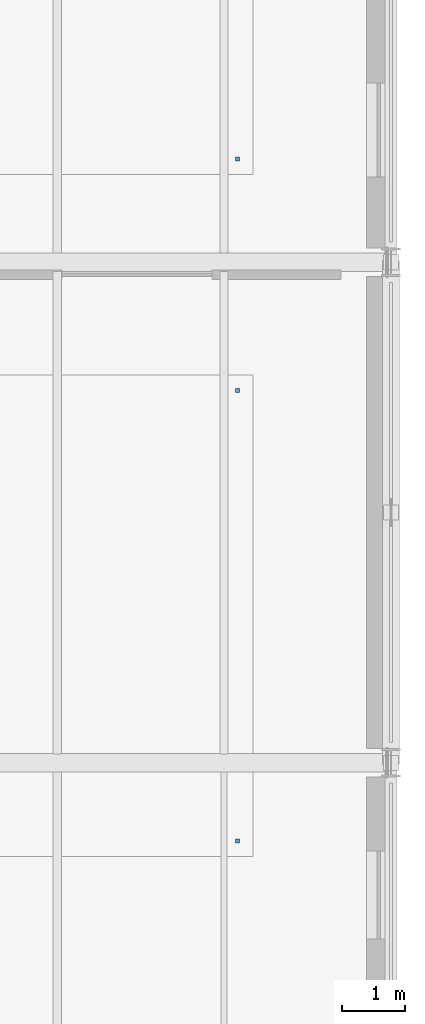
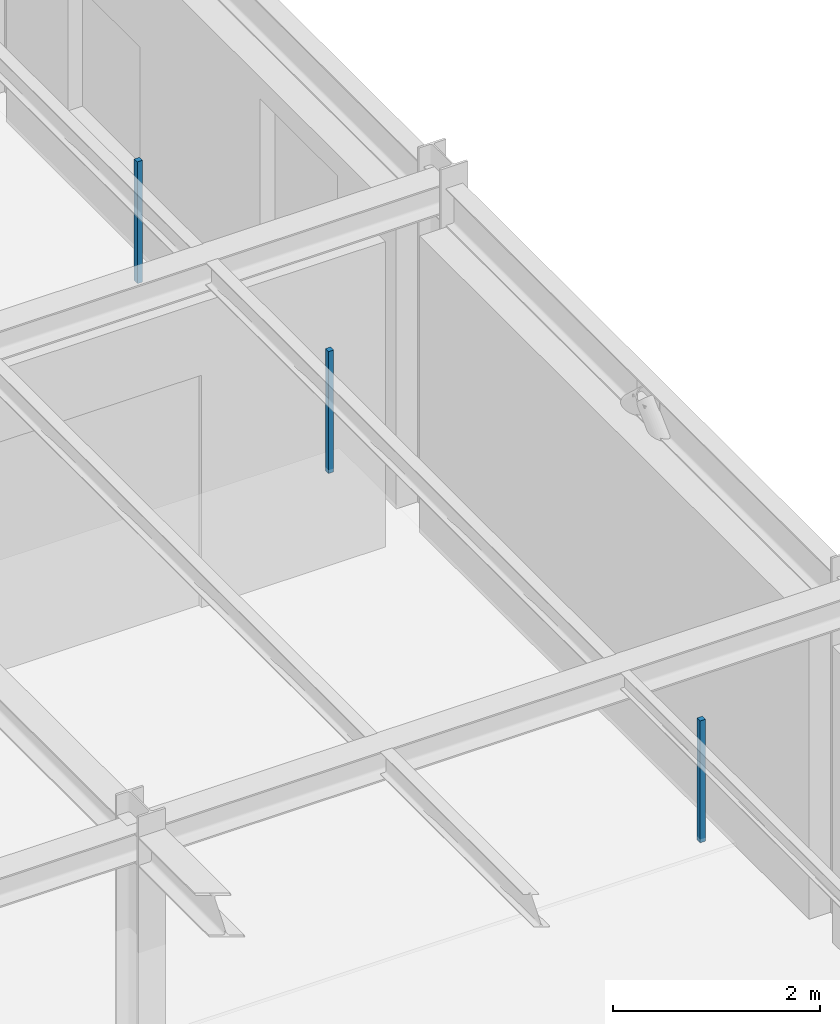
# One storey, part 101 of 124: 3 discrete accessories.
"""IFC4 building model written with IfcOpenShell, lengths in metres."""

from ifc_helpers import new_model, si_unit, direction, frame, origin, origin_2d, place, context, subcontext, project, spatial, rectangle, extrude, material, type_object, element, save


model = new_model("IFC4")

# Units and contexts
model_context = context("Model", 3, precision=1e-05, world=origin(), true_north=direction((0.0, 1.0)))
body_context = subcontext(model_context, "Body", "Model", "MODEL_VIEW")
ifc_project = project(units=[si_unit("LENGTHUNIT", "METRE"), si_unit("AREAUNIT", "SQUARE_METRE"), si_unit("VOLUMEUNIT", "CUBIC_METRE"), si_unit("PLANEANGLEUNIT", "RADIAN"), si_unit("MASSUNIT", "GRAM", prefix="KILO")], contexts=[model_context])

# Site, building, storey
site_placement = place(None, origin())
site = spatial("IfcSite", under=ifc_project, at=site_placement, CompositionType="ELEMENT")
building_placement = place(site_placement, origin())
building = spatial("IfcBuilding", under=site, at=building_placement, Name="Sundkrona Museum", CompositionType="ELEMENT")
storey_placement = place(building_placement, frame((0.0, 0.0, 17.60009765625)))
storey = spatial("IfcBuildingStorey", under=building, at=storey_placement, Name="L03", CompositionType="ELEMENT", Elevation=17.60009765625)

# Discrete accessories
ifc_material = material(Name="Stainless Steel EN 1.4404 Cleat", Category="steel")
discrete_accessory_type = type_object("IfcDiscreteAccessoryType", Name="BRK-FIN-01", PredefinedType="BRACKET", material=ifc_material)
for number, where, z_axis, x_axis, name in (
    (1, (165.550048828125, 6.75, 2.550048828125), (0.0, 0.0, 1.0), (1.0, 0.0, 0.0), "L03 Evolutionary Biology Gallery Ceiling Hanger 2"),
    (2, (165.550048828125, 13.949951171875, 2.550048828125), (0.0, 0.0, 1.0), (1.0, 0.0, 0.0), "L03 Evolutionary Biology Gallery Ceiling Hanger 3"),
    (3, (165.550048828125, 17.64990234375, 2.550048828125), (0.0, 0.0, 1.0), (1.0, 0.0, 0.0), "L03 Ornithology Exhibition Hall Ceiling Hanger 2"),
):
    element("IfcDiscreteAccessory", number, at=place(storey_placement, frame(where, z_axis=z_axis, x_axis=x_axis)), inside=storey, type_object=discrete_accessory_type, Name=name, PredefinedType="BRACKET", context=body_context, shape_type="SweptSolid", body=[
        extrude(rectangle(XDim=0.06005859375, YDim=0.06005859375, at=origin_2d()), origin(), (0.0, 0.0, 1.0), 1.43994140625),
    ])

save(model, "model.ifc")
